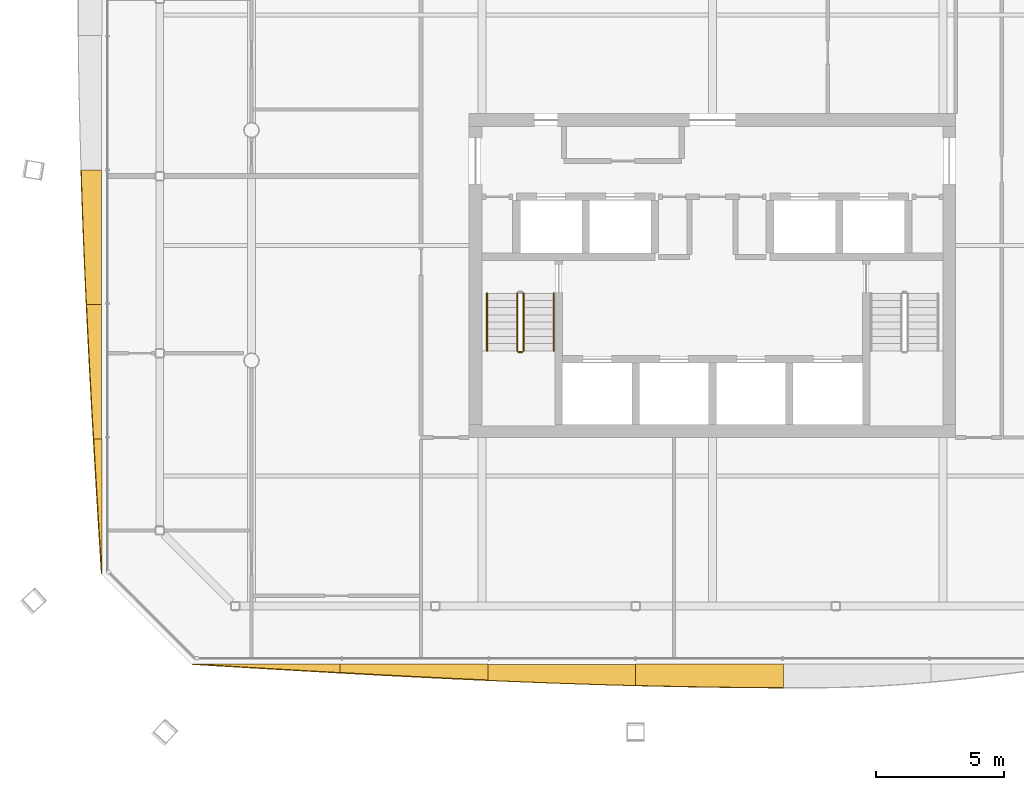
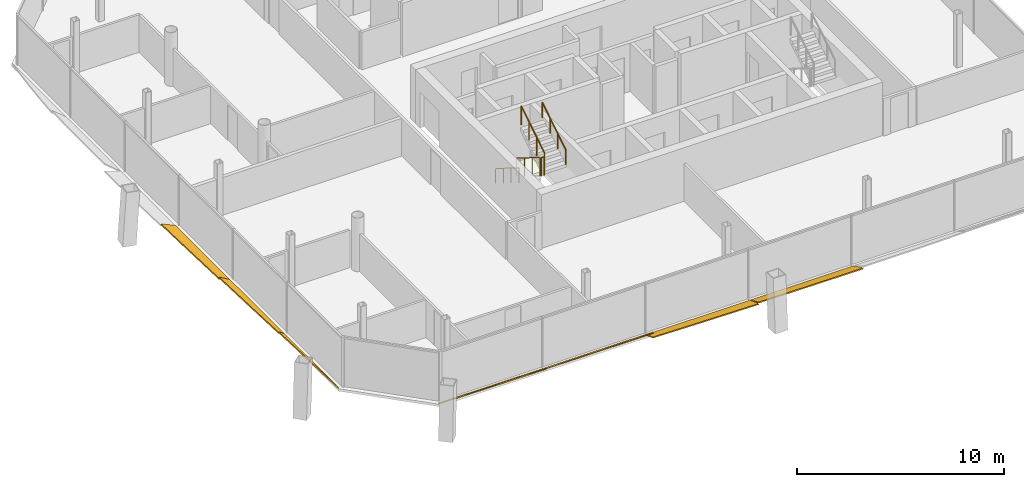
# One storey, part 17 of 20: 7 shading devices, 5 railings.
"""IFC4 building model written with IfcOpenShell, lengths in metres."""

import ifcopenshell
import ifcopenshell.guid

model = None  # the IFC model being written
_history = None  # IfcOwnerHistory: only IFC2X3 demands one
_inside = {}  # id of a spatial element -> (the spatial element, [elements in it])
_under = {}  # id of a project, library or spatial element -> (it, [spatial elements below it])
_declared = {}  # id of a project -> (the project, [libraries it declares])
_typed = {}  # id of a type object -> (the type object, [elements of that type])
_made_of = {}  # id of a material, layer set ... -> (it, [elements and type objects made of it])


def new_model(schema):
    """Start an empty IFC model of exactly this schema.

    Asked for "IFC4X3", IfcOpenShell would pick the latest addendum, in which some entities
    have other attributes; the version numbers below select the first issue.
    IFC2X3 requires an IfcOwnerHistory on every rooted entity: one is made here for all.
    """
    global model, _history
    if schema == "IFC4X3":
        model = ifcopenshell.file(schema_version=(4, 3, 0, 0))
    else:
        model = ifcopenshell.file(schema=schema)
    _inside.clear()
    _under.clear()
    _declared.clear()
    _typed.clear()
    _made_of.clear()
    _history = None
    if model.schema == "IFC2X3":
        org = make("IfcOrganization", Name="unknown")
        user = make(
            "IfcPersonAndOrganization",
            ThePerson=make("IfcPerson", FamilyName="unknown"),
            TheOrganization=org,
        )
        app = make(
            "IfcApplication",
            ApplicationDeveloper=org,
            Version="unknown",
            ApplicationFullName="unknown",
            ApplicationIdentifier="unknown",
        )
        _history = make(
            "IfcOwnerHistory",
            OwningUser=user,
            OwningApplication=app,
            ChangeAction="ADDED",
            CreationDate=0,
        )
    return model


def make(cls, **values):
    """One entity of the class cls with the attributes given. An attribute that is None is left unset."""
    return model.create_entity(
        cls, **{name: value for name, value in values.items() if value is not None}
    )


def rooted(cls, **values):
    """An entity with a GlobalId (a new one), such as an element, a storey or a relation."""
    return make(cls, GlobalId=ifcopenshell.guid.new(), OwnerHistory=_history, **values)


def si_unit(unit_type, name, prefix=None):
    """IfcSIUnit, for example si_unit("LENGTHUNIT", "METRE", prefix="MILLI")."""
    return make("IfcSIUnit", UnitType=unit_type, Prefix=prefix, Name=name)


def assignment(units):
    """IfcUnitAssignment: the units of a project."""
    return None if units is None else make("IfcUnitAssignment", Units=units)


def point(xyz):
    """IfcCartesianPoint."""
    return None if xyz is None else make("IfcCartesianPoint", Coordinates=xyz)


def direction(xyz):
    """IfcDirection."""
    return None if xyz is None else make("IfcDirection", DirectionRatios=xyz)


def frame(location, z_axis=None, x_axis=None):
    """IfcAxis2Placement3D, a coordinate frame: its origin and axes. An axis left out is left unset."""
    return make(
        "IfcAxis2Placement3D",
        Location=point(location),
        Axis=direction(z_axis),
        RefDirection=direction(x_axis),
    )


def frame_2d(location, x_axis=None):
    """IfcAxis2Placement2D, a coordinate frame in the plane: its origin and x axis."""
    return make(
        "IfcAxis2Placement2D", Location=point(location), RefDirection=direction(x_axis)
    )


def origin():
    """The frame at (0, 0, 0) with its axes left unset."""
    return frame((0.0, 0.0, 0.0))


def origin_2d():
    """The frame at (0, 0) in the plane with its x axis left unset."""
    return frame_2d((0.0, 0.0))


def place(relative_to, where):
    """IfcLocalPlacement: puts the frame where relative to a parent placement (None: the world)."""
    return make(
        "IfcLocalPlacement", PlacementRelTo=relative_to, RelativePlacement=where
    )


def context(
    kind, dimensions, precision=None, world=None, true_north=None, identifier=None
):
    """IfcGeometricRepresentationContext, for example the 3D "Model" context."""
    return make(
        "IfcGeometricRepresentationContext",
        ContextIdentifier=identifier,
        ContextType=kind,
        CoordinateSpaceDimension=dimensions,
        Precision=precision,
        WorldCoordinateSystem=world,
        TrueNorth=true_north,
    )


def subcontext(parent, identifier, kind, view, scale=None):
    """IfcGeometricRepresentationSubContext, for example "Body" below "Model"."""
    return make(
        "IfcGeometricRepresentationSubContext",
        ContextIdentifier=identifier,
        ContextType=kind,
        ParentContext=parent,
        TargetScale=scale,
        TargetView=view,
    )


def project(units=None, contexts=None):
    """IfcProject with its units and contexts."""
    return rooted(
        "IfcProject",
        Name="project",
        RepresentationContexts=contexts,
        UnitsInContext=assignment(units),
    )


def spatial(cls, under=None, at=None, **own):
    """A site, building, storey or space (cls), placed at a placement, below another one or the project."""
    s = rooted(cls, ObjectPlacement=at, **own)
    if under is not None:
        _under.setdefault(under.id(), (under, []))[1].append(s)
    return s


def polyline(points):
    """IfcPolyline through the points."""
    return make("IfcPolyline", Points=[point(p) for p in points])


def profile(cls, at=None, kind="AREA", **sizes):
    """A parametric profile (cls). Its sizes go by their IFC names, for example OverallWidth=200.0."""
    return make(cls, ProfileType=kind, Position=at, **sizes)


def circle(**sizes):
    """IfcCircleProfileDef."""
    return profile("IfcCircleProfileDef", **sizes)


def outline(outer, holes=None, kind="AREA"):
    """IfcArbitraryClosedProfileDef: a profile drawn as a closed curve; with holes, ...WithVoids."""
    if holes is None:
        return make("IfcArbitraryClosedProfileDef", ProfileType=kind, OuterCurve=outer)
    return make(
        "IfcArbitraryProfileDefWithVoids",
        ProfileType=kind,
        OuterCurve=outer,
        InnerCurves=holes,
    )


def extrude(swept, where, along, depth):
    """IfcExtrudedAreaSolid: the profile swept, set in the frame where, extruded along a direction by depth."""
    return make(
        "IfcExtrudedAreaSolid",
        SweptArea=swept,
        Position=where,
        ExtrudedDirection=direction(along),
        Depth=depth,
    )


def shape(context_of_items, identifier, shape_type, items):
    """IfcShapeRepresentation: the items that make up one representation, for example the "Body"."""
    return make(
        "IfcShapeRepresentation",
        ContextOfItems=context_of_items,
        RepresentationIdentifier=identifier,
        RepresentationType=shape_type,
        Items=items,
    )


def material(Name=None, Category=None):
    """IfcMaterial."""
    return make("IfcMaterial", Name=Name, Category=Category)


def layer(
    of_material, thickness, ventilated=None, Name=None, Category=None, Priority=None
):
    """IfcMaterialLayer: one layer of a wall or slab, of a material (None: an air gap)."""
    return make(
        "IfcMaterialLayer",
        Material=of_material,
        LayerThickness=thickness,
        IsVentilated=ventilated,
        Name=Name,
        Category=Category,
        Priority=Priority,
    )


def layer_set(layers, Name=None):
    """IfcMaterialLayerSet."""
    return make("IfcMaterialLayerSet", MaterialLayers=layers, LayerSetName=Name)


def made_of(thing, what):
    """Note that an element or type object is made of a material, layer set ...; save() writes the relation."""
    if what is not None:
        _made_of.setdefault(what.id(), (what, []))[1].append(thing)
    return thing


def type_object(cls, material=None, **own):
    """A type object (cls), such as IfcWallType, which elements share."""
    return made_of(rooted(cls, **own), material)


def element(
    cls,
    number,
    at=None,
    inside=None,
    cuts=None,
    type_object=None,
    material=None,
    context=None,
    identifier="Body",
    shape_type=None,
    held_by="IfcProductDefinitionShape",
    body=None,
    shapes=None,
    **own,
):
    """One element of the class cls, such as IfcWall. Its Tag is "e" and its number.

    at: its placement. inside: the storey or other place that contains it. cuts: it is an
    opening in that element (IfcRelVoidsElement). A single representation is given by context,
    identifier, shape_type and body (its items); several are given by shapes. held_by: the class
    of the entity that holds the representations. save() writes the other relations.
    """
    e = rooted(cls, Tag="e%d" % number, ObjectPlacement=at, **own)
    if body is not None:
        shapes = [shape(context, identifier, shape_type, body)]
    if shapes is not None:
        e.Representation = make(held_by, Representations=shapes)
    if inside is not None:
        _inside.setdefault(inside.id(), (inside, []))[1].append(e)
    if cuts is not None:
        rooted(
            "IfcRelVoidsElement", RelatingBuildingElement=cuts, RelatedOpeningElement=e
        )
    if type_object is not None:
        _typed.setdefault(type_object.id(), (type_object, []))[1].append(e)
    return made_of(e, material)


def aggregate(whole, parts):
    """IfcRelAggregates: a whole, such as a stair, and the parts it consists of."""
    return rooted("IfcRelAggregates", RelatingObject=whole, RelatedObjects=parts)


def save(model, path):
    """Write the relations noted so far, then the file.

    IfcRelAggregates (storeys below a building ...), IfcRelContainedInSpatialStructure (elements
    in a storey), IfcRelDefinesByType, IfcRelAssociatesMaterial and IfcRelDeclares: one each for
    every whole, place, type object, material and project.
    """
    for whole, parts in _under.values():
        aggregate(whole, parts)
    for where, things in _inside.values():
        rooted(
            "IfcRelContainedInSpatialStructure",
            RelatedElements=things,
            RelatingStructure=where,
        )
    for kind, things in _typed.values():
        rooted("IfcRelDefinesByType", RelatedObjects=things, RelatingType=kind)
    for what, things in _made_of.values():
        rooted("IfcRelAssociatesMaterial", RelatedObjects=things, RelatingMaterial=what)
    for by, libraries in _declared.values():
        rooted("IfcRelDeclares", RelatingContext=by, RelatedDefinitions=libraries)
    model.write(path)


model = new_model("IFC4")

# Units and contexts
model_context = context("Model", 3, precision=1e-05, world=origin(), true_north=direction((0.0, 1.0)))
body_context = subcontext(model_context, "Body", "Model", "MODEL_VIEW")
ifc_project = project(units=[si_unit("LENGTHUNIT", "METRE"), si_unit("AREAUNIT", "SQUARE_METRE"), si_unit("VOLUMEUNIT", "CUBIC_METRE"), si_unit("PLANEANGLEUNIT", "RADIAN"), si_unit("MASSUNIT", "GRAM", prefix="KILO")], contexts=[model_context])

# Site, building, storey
site_placement = place(None, origin())
site = spatial("IfcSite", under=ifc_project, at=site_placement, CompositionType="ELEMENT")
building_placement = place(site_placement, origin())
building = spatial("IfcBuilding", under=site, at=building_placement, Name="Tskaro Facet Tower", CompositionType="ELEMENT")
storey_placement = place(building_placement, frame((0.0, 0.0, 184.800048828125)))
storey = spatial("IfcBuildingStorey", under=building, at=storey_placement, Name="L46", CompositionType="ELEMENT", Elevation=184.800048828125)

# Shading devices
ifc_material_1 = material(Name="Bronze anodised aluminium 6063-T6", Category="aluminium")
ifc_layer = layer(ifc_material_1, 0.06005859375, Name="Bronze anodised aluminium 6063-T6")
ifc_layer_set = layer_set([ifc_layer], Name="Bronze anodised aluminium 6063-T6")
shading_device_type = type_object("IfcShadingDeviceType", Name="Bronze sun blade (FN1)", PredefinedType="USERDEFINED", material=ifc_layer_set)
shading_device_1_placement = place(storey_placement, frame((-20.31298828125, -20.843505859375, 0.049072265625), z_axis=(-1.772705e-05, 0.5736145357, 0.819125365325), x_axis=(0.999999999843, 1.0168494e-05, 1.4520676e-05)))
element("IfcShadingDevice", 1, at=shading_device_1_placement, inside=storey, type_object=shading_device_type, Name="Fin blade south 1", ObjectType="FIN", PredefinedType="USERDEFINED", context=body_context, shape_type="SweptSolid", body=[
    extrude(outline(polyline([(0.0, 0.0), (5.770996092843237, 0.0), (5.77099609467643, -0.41227609023525963), (5.049560545241641, -0.362694129455762), (4.328124999709392, -0.3123721807289617), (3.606933592677015, -0.2613701832222569), (2.8854980464396744, -0.20982817954692473), (2.1640624991397894, -0.15794615148164026), (1.4426269532599023, -0.10552411724772834), (0.721435546942432, -0.05276205862386417), (0.0, 0.0)])), origin(), (0.0, 0.0, -1.0), 0.06005859375),
])
shading_device_2_placement = place(storey_placement, frame((-14.5419921875, -20.83935546875, 0.0458984375), z_axis=(-1.29508e-07, 0.642756730876, 0.766070352457), x_axis=(1.0, 8.3242e-08, 9.9212e-08)))
element("IfcShadingDevice", 2, at=shading_device_2_placement, inside=storey, type_object=shading_device_type, Name="Fin blade south 2", ObjectType="FIN", PredefinedType="USERDEFINED", context=body_context, shape_type="SweptSolid", body=[
    extrude(outline(polyline([(0.0, 0.0), (5.770996093749952, 0.0), (5.7709960937580504, -0.8203661196085174), (5.049560546877052, -0.7782598491857731), (4.328124999996881, -0.7342467902451768), (3.6069335937503357, -0.6890148466360121), (2.885498046879619, -0.6418761145089953), (2.164062499993306, -0.5933615746834112), (1.442626953139841, -0.5437850732192578), (0.7214355468512357, -0.49286286992118084), (1.502241672366399e-11, -0.44084859911989055), (0.0, 0.0)])), origin(), (0.0, 0.0, -1.0), 0.06005859375),
])
shading_device_3_placement = place(storey_placement, frame((-8.77099609375, -20.857421875, 0.056396484375), z_axis=(1.826376e-06, 0.34197840436, 0.939707811475), x_axis=(0.999999999998, -6.24581e-07, -1.71626e-06)))
element("IfcShadingDevice", 3, at=shading_device_3_placement, inside=storey, type_object=shading_device_type, Name="Fin blade south 3", ObjectType="FIN", PredefinedType="USERDEFINED", context=body_context, shape_type="SweptSolid", body=[
    extrude(outline(polyline([(0.0, 0.0), (5.770996093740376, 6.110279787352646e-22), (5.7709960936880895, -0.8851654626732025), (5.049560546766695, -0.8643905606603555), (4.328125000034928, -0.8417592402164976), (3.606933593965301, -0.8170420804892172), (2.8854980467747704, -0.7908649048260915), (2.1640625001928746, -0.7627478199105776), (1.4426269529625884, -0.7329412982068069), (0.7214355468518997, -0.7017371997768479), (-1.1317044687603131e-10, -0.668760173737255), (0.0, 0.0)])), origin(), (0.0, 0.0, -1.0), 0.06005859375),
])
shading_device_4_placement = place(storey_placement, frame((-3.0, -20.8525390625, 0.054443359375), z_axis=(-1.3292251e-05, 0.422474374534, 0.906374868741), x_axis=(0.999999999912, 5.615636e-06, 1.2047763e-05)))
element("IfcShadingDevice", 4, at=shading_device_4_placement, inside=storey, type_object=shading_device_type, Name="Fin blade south 4", ObjectType="FIN", PredefinedType="USERDEFINED", context=body_context, shape_type="SweptSolid", body=[
    extrude(outline(polyline([(0.0, 0.0), (5.770996093240179, 0.0), (5.770996095043769, -1.0144708881171194), (5.0495605466377915, -1.0101052160229522), (4.3283691394304435, -1.003335424954743), (3.60693359374211, -0.9944859409973045), (2.885498047256421, -0.9834536209927824), (2.1640624999733777, -0.9702384649411766), (1.4428710925179578, -0.9548404728424873), (0.7214355465815528, -0.9373627878545686), (-1.5220690815407028e-10, -0.9177022668195662), (0.0, 0.0)])), origin(), (0.0, 0.0, -1.0), 0.06005859375),
])
shading_device_5_placement = place(storey_placement, frame((-23.8525390625, -1.554443359375, 0.054443359375), z_axis=(0.422483729278, -1.701482e-06, 0.906370508397), x_axis=(-7.18849e-07, -0.999999999999, -1.542173e-06)))
element("IfcShadingDevice", 5, at=shading_device_5_placement, inside=storey, type_object=shading_device_type, Name="Fin blade west 4", ObjectType="FIN", PredefinedType="USERDEFINED", context=body_context, shape_type="SweptSolid", body=[
    extrude(outline(polyline([(0.0, 0.0), (5.252929687492396, 5.56175564365342e-22), (5.252929687477146, -0.6523958744377676), (4.596191406529205, -0.6857141155535669), (3.9396972655297713, -0.7176015200532357), (3.282958984332858, -0.7482943607781412), (2.6264648436364584, -0.7776745013075999), (1.9699707030165794, -0.8054175143374912), (1.313232422023721, -0.8317446817302172), (0.656738281180376, -0.8563165852026924), (-3.5947834183623646e-11, -0.8794726430380021), (0.0, 0.0)])), origin(), (0.0, 0.0, -1.0), 0.06005859375),
])
shading_device_6_placement = place(storey_placement, frame((-23.847900390625, -6.807373046875, 0.052001953125), z_axis=(0.499845824703, -1.0548054e-05, 0.866114398573), x_axis=(-5.272401e-06, -0.999999999944, -9.135822e-06)))
element("IfcShadingDevice", 6, at=shading_device_6_placement, inside=storey, type_object=shading_device_type, Name="Fin blade west 5", ObjectType="FIN", PredefinedType="USERDEFINED", context=body_context, shape_type="SweptSolid", body=[
    extrude(outline(polyline([(0.0, 0.0), (5.252685546582789, 4.4491977197695976e-21), (5.25268554729979, -0.36302265458966215), (4.596191406433383, -0.4064474338349565), (3.939697264878997, -0.4487823328937404), (3.282958983298854, -0.49023880547661475), (2.6264648442301337, -0.5310283052941804), (1.9697265625612408, -0.5705164712146349), (1.3132324221165628, -0.6091262106591795), (0.65649414035892, -0.6466460699172139), (-5.184970634541048e-10, -0.6827425626060832), (0.0, 0.0)])), origin(), (0.0, 0.0, -1.0), 0.06005859375),
])
shading_device_7_placement = place(storey_placement, frame((-23.843505859375, -12.06005859375, 0.049072265625), z_axis=(0.573472907093, -1.4419518e-05, 0.81922452638), x_axis=(-8.269203e-06, -0.999999999896, -1.1812823e-05)))
element("IfcShadingDevice", 7, at=shading_device_7_placement, inside=storey, type_object=shading_device_type, Name="Fin blade west 6", ObjectType="FIN", PredefinedType="USERDEFINED", context=body_context, shape_type="SweptSolid", body=[
    extrude(outline(polyline([(0.0, 0.0), (5.252929686953899, 0.0), (4.5964355478482855, -0.049101911911447374), (3.93969726609885, -0.09800381783498818), (3.28320312583953, -0.1465657097366497), (2.6264648429363873, -0.19492759565040463), (1.9699707015233605, -0.24294946754228025), (1.3132324203505008, -0.29063132541227665), (0.6567382815328987, -0.3376331552385144), (-1.0822329482214128e-09, -0.3838949590670597), (0.0, 0.0)])), origin(), (0.0, 0.0, -1.0), 0.06005859375),
])

# Railings
ifc_material_2 = material(Name="Stainless steel", Category="steel")
railing_type_1 = type_object("IfcRailingType", Name="RL-GUARD-1100", PredefinedType="GUARDRAIL", material=ifc_material_2)
railing_1_placement = place(storey_placement, frame((-7.625, -6.375, 0.175048828125)))
element("IfcRailing", 8, at=railing_1_placement, inside=storey, type_object=railing_type_1, Name="L46 ST-1 stair guard 1", PredefinedType="GUARDRAIL", context=body_context, shape_type="SweptSolid", body=[
    extrude(circle(Radius=0.02392578125, at=origin_2d()), frame((0.0, 0.0, 1.076171875), z_axis=(0.0, -0.848013881152, 0.529974015752), x_axis=(1.0, 0.0, 0.0)), (0.0, 0.0, 1.0), 2.641357421875),
    extrude(circle(Radius=0.02099609375, at=origin_2d()), origin(), (0.0, 0.0, 1.0), 1.052001953125),
    extrude(circle(Radius=0.02099609375, at=origin_2d()), frame((0.0, -0.74658203125, 0.466552734375)), (0.0, 0.0, 1.0), 1.052001953125),
    extrude(circle(Radius=0.02099609375, at=origin_2d()), frame((0.0, -1.493408203125, 0.933349609375)), (0.0, 0.0, 1.0), 1.052001953125),
    extrude(circle(Radius=0.02099609375, at=origin_2d()), frame((0.0, -2.239990234375, 1.39990234375)), (0.0, 0.0, 1.0), 1.052001953125),
])
railing_2_placement = place(storey_placement, frame((-7.574951171875, -8.6650390625, 1.574951171875)))
element("IfcRailing", 9, at=railing_2_placement, inside=storey, type_object=railing_type_1, Name="L46 ST-1 stair guard 2", PredefinedType="GUARDRAIL", context=body_context, shape_type="SweptSolid", body=[
    extrude(circle(Radius=0.02392578125, at=origin_2d()), frame((0.0, 0.0, 1.076171875), z_axis=(1.0, 0.0, 0.0), x_axis=(0.0, 1.0, 0.0)), (0.0, 0.0, 1.0), 0.14990234375),
    extrude(circle(Radius=0.02099609375, at=origin_2d()), origin(), (0.0, 0.0, 1.0), 1.052001953125),
    extrude(circle(Radius=0.02099609375, at=origin_2d()), frame((0.14990234375, 0.0, 0.0)), (0.0, 0.0, 1.0), 1.052001953125),
])
railing_3_placement = place(storey_placement, frame((-7.375, -8.614990234375, 1.75)))
element("IfcRailing", 10, at=railing_3_placement, inside=storey, type_object=railing_type_1, Name="L46 ST-1 stair guard 3", PredefinedType="GUARDRAIL", context=body_context, shape_type="SweptSolid", body=[
    extrude(circle(Radius=0.02392578125, at=origin_2d()), frame((0.0, 0.0, 1.076171875), z_axis=(0.0, 0.848013881152, 0.529974015752), x_axis=(-1.0, 0.0, 0.0)), (0.0, 0.0, 1.0), 2.641357421875),
    extrude(circle(Radius=0.02099609375, at=origin_2d()), origin(), (0.0, 0.0, 1.0), 1.052001953125),
    extrude(circle(Radius=0.02099609375, at=origin_2d()), frame((0.0, 0.74658203125, 0.466552734375)), (0.0, 0.0, 1.0), 1.052001953125),
    extrude(circle(Radius=0.02099609375, at=origin_2d()), frame((0.0, 1.493408203125, 0.933349609375)), (0.0, 0.0, 1.0), 1.052001953125),
    extrude(circle(Radius=0.02099609375, at=origin_2d()), frame((0.0, 2.239990234375, 1.39990234375)), (0.0, 0.0, 1.0), 1.052001953125),
])
railing_type_2 = type_object("IfcRailingType", Name="RL-HANDRAIL-900", PredefinedType="HANDRAIL", material=ifc_material_2)
railing_4_placement = place(storey_placement, frame((-8.800048828125, -6.375, 0.175048828125)))
element("IfcRailing", 11, at=railing_4_placement, inside=storey, type_object=railing_type_2, Name="L46 ST-1 stair handrail 1", PredefinedType="HANDRAIL", context=body_context, shape_type="SweptSolid", body=[
    extrude(circle(Radius=0.02392578125, at=origin_2d()), frame((0.0, 0.0, 0.8759765625), z_axis=(0.0, -0.848013881152, 0.529974015752), x_axis=(1.0, 0.0, 0.0)), (0.0, 0.0, 1.0), 2.641357421875),
    extrude(circle(Radius=0.02099609375, at=origin_2d()), origin(), (0.0, 0.0, 1.0), 0.851806640625),
    extrude(circle(Radius=0.02099609375, at=origin_2d()), frame((0.0, -0.74658203125, 0.466552734375)), (0.0, 0.0, 1.0), 0.851806640625),
    extrude(circle(Radius=0.02099609375, at=origin_2d()), frame((0.0, -1.493408203125, 0.933349609375)), (0.0, 0.0, 1.0), 0.851806640625),
    extrude(circle(Radius=0.02099609375, at=origin_2d()), frame((0.0, -2.239990234375, 1.39990234375)), (0.0, 0.0, 1.0), 0.851806640625),
])
railing_5_placement = place(storey_placement, frame((-6.199951171875, -8.614990234375, 1.75)))
element("IfcRailing", 12, at=railing_5_placement, inside=storey, type_object=railing_type_2, Name="L46 ST-1 stair handrail 2", PredefinedType="HANDRAIL", context=body_context, shape_type="SweptSolid", body=[
    extrude(circle(Radius=0.02392578125, at=origin_2d()), frame((0.0, 0.0, 0.8759765625), z_axis=(0.0, 0.848013881152, 0.529974015752), x_axis=(-1.0, 0.0, 0.0)), (0.0, 0.0, 1.0), 2.641357421875),
    extrude(circle(Radius=0.02099609375, at=origin_2d()), origin(), (0.0, 0.0, 1.0), 0.851806640625),
    extrude(circle(Radius=0.02099609375, at=origin_2d()), frame((0.0, 0.74658203125, 0.466552734375)), (0.0, 0.0, 1.0), 0.851806640625),
    extrude(circle(Radius=0.02099609375, at=origin_2d()), frame((0.0, 1.493408203125, 0.933349609375)), (0.0, 0.0, 1.0), 0.851806640625),
    extrude(circle(Radius=0.02099609375, at=origin_2d()), frame((0.0, 2.239990234375, 1.39990234375)), (0.0, 0.0, 1.0), 0.851806640625),
])

save(model, "model.ifc")
